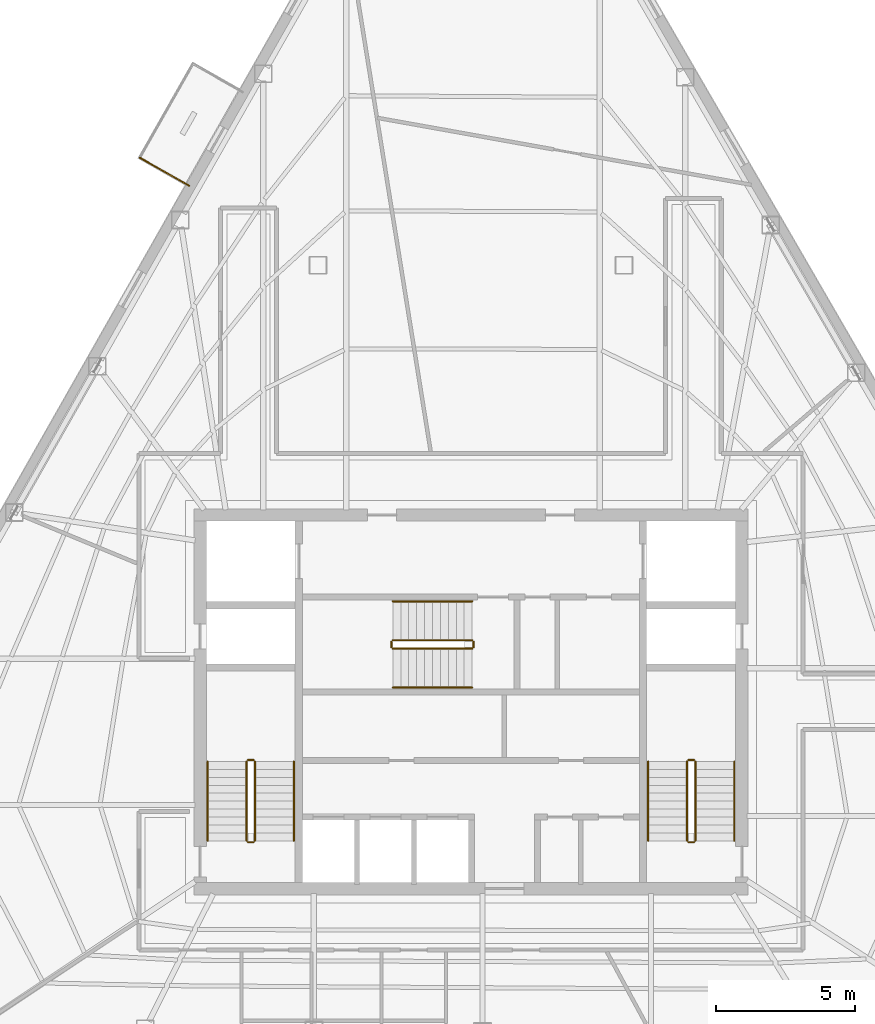
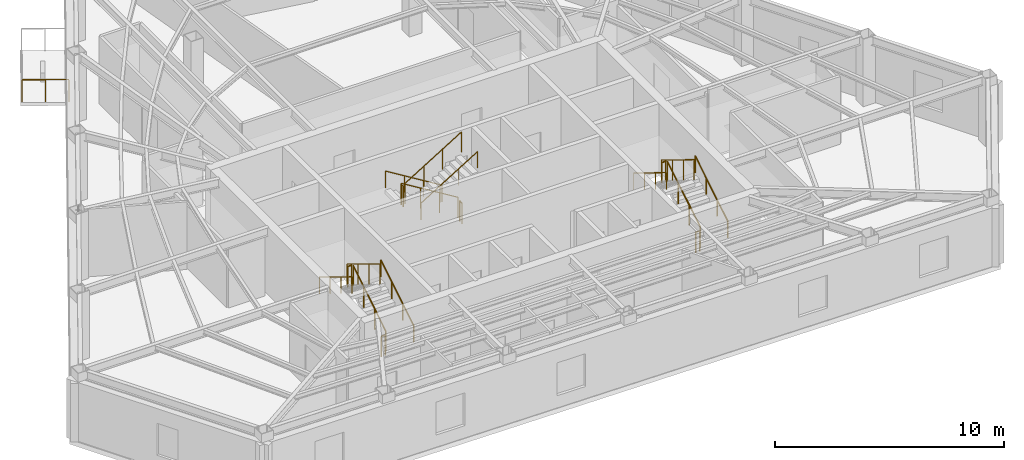
# One storey, part 8 of 9: 19 railings.
"""IFC4 building model written with IfcOpenShell, lengths in metres."""

import ifcopenshell
import ifcopenshell.guid

model = None  # the IFC model being written
_history = None  # IfcOwnerHistory: only IFC2X3 demands one
_inside = {}  # id of a spatial element -> (the spatial element, [elements in it])
_under = {}  # id of a project, library or spatial element -> (it, [spatial elements below it])
_declared = {}  # id of a project -> (the project, [libraries it declares])
_typed = {}  # id of a type object -> (the type object, [elements of that type])
_made_of = {}  # id of a material, layer set ... -> (it, [elements and type objects made of it])


def new_model(schema):
    """Start an empty IFC model of exactly this schema.

    Asked for "IFC4X3", IfcOpenShell would pick the latest addendum, in which some entities
    have other attributes; the version numbers below select the first issue.
    IFC2X3 requires an IfcOwnerHistory on every rooted entity: one is made here for all.
    """
    global model, _history
    if schema == "IFC4X3":
        model = ifcopenshell.file(schema_version=(4, 3, 0, 0))
    else:
        model = ifcopenshell.file(schema=schema)
    _inside.clear()
    _under.clear()
    _declared.clear()
    _typed.clear()
    _made_of.clear()
    _history = None
    if model.schema == "IFC2X3":
        org = make("IfcOrganization", Name="unknown")
        user = make(
            "IfcPersonAndOrganization",
            ThePerson=make("IfcPerson", FamilyName="unknown"),
            TheOrganization=org,
        )
        app = make(
            "IfcApplication",
            ApplicationDeveloper=org,
            Version="unknown",
            ApplicationFullName="unknown",
            ApplicationIdentifier="unknown",
        )
        _history = make(
            "IfcOwnerHistory",
            OwningUser=user,
            OwningApplication=app,
            ChangeAction="ADDED",
            CreationDate=0,
        )
    return model


def make(cls, **values):
    """One entity of the class cls with the attributes given. An attribute that is None is left unset."""
    return model.create_entity(
        cls, **{name: value for name, value in values.items() if value is not None}
    )


def rooted(cls, **values):
    """An entity with a GlobalId (a new one), such as an element, a storey or a relation."""
    return make(cls, GlobalId=ifcopenshell.guid.new(), OwnerHistory=_history, **values)


def si_unit(unit_type, name, prefix=None):
    """IfcSIUnit, for example si_unit("LENGTHUNIT", "METRE", prefix="MILLI")."""
    return make("IfcSIUnit", UnitType=unit_type, Prefix=prefix, Name=name)


def assignment(units):
    """IfcUnitAssignment: the units of a project."""
    return None if units is None else make("IfcUnitAssignment", Units=units)


def point(xyz):
    """IfcCartesianPoint."""
    return None if xyz is None else make("IfcCartesianPoint", Coordinates=xyz)


def direction(xyz):
    """IfcDirection."""
    return None if xyz is None else make("IfcDirection", DirectionRatios=xyz)


def frame(location, z_axis=None, x_axis=None):
    """IfcAxis2Placement3D, a coordinate frame: its origin and axes. An axis left out is left unset."""
    return make(
        "IfcAxis2Placement3D",
        Location=point(location),
        Axis=direction(z_axis),
        RefDirection=direction(x_axis),
    )


def frame_2d(location, x_axis=None):
    """IfcAxis2Placement2D, a coordinate frame in the plane: its origin and x axis."""
    return make(
        "IfcAxis2Placement2D", Location=point(location), RefDirection=direction(x_axis)
    )


def origin():
    """The frame at (0, 0, 0) with its axes left unset."""
    return frame((0.0, 0.0, 0.0))


def origin_2d():
    """The frame at (0, 0) in the plane with its x axis left unset."""
    return frame_2d((0.0, 0.0))


def place(relative_to, where):
    """IfcLocalPlacement: puts the frame where relative to a parent placement (None: the world)."""
    return make(
        "IfcLocalPlacement", PlacementRelTo=relative_to, RelativePlacement=where
    )


def context(
    kind, dimensions, precision=None, world=None, true_north=None, identifier=None
):
    """IfcGeometricRepresentationContext, for example the 3D "Model" context."""
    return make(
        "IfcGeometricRepresentationContext",
        ContextIdentifier=identifier,
        ContextType=kind,
        CoordinateSpaceDimension=dimensions,
        Precision=precision,
        WorldCoordinateSystem=world,
        TrueNorth=true_north,
    )


def subcontext(parent, identifier, kind, view, scale=None):
    """IfcGeometricRepresentationSubContext, for example "Body" below "Model"."""
    return make(
        "IfcGeometricRepresentationSubContext",
        ContextIdentifier=identifier,
        ContextType=kind,
        ParentContext=parent,
        TargetScale=scale,
        TargetView=view,
    )


def project(units=None, contexts=None):
    """IfcProject with its units and contexts."""
    return rooted(
        "IfcProject",
        Name="project",
        RepresentationContexts=contexts,
        UnitsInContext=assignment(units),
    )


def spatial(cls, under=None, at=None, **own):
    """A site, building, storey or space (cls), placed at a placement, below another one or the project."""
    s = rooted(cls, ObjectPlacement=at, **own)
    if under is not None:
        _under.setdefault(under.id(), (under, []))[1].append(s)
    return s


def profile(cls, at=None, kind="AREA", **sizes):
    """A parametric profile (cls). Its sizes go by their IFC names, for example OverallWidth=200.0."""
    return make(cls, ProfileType=kind, Position=at, **sizes)


def circle(**sizes):
    """IfcCircleProfileDef."""
    return profile("IfcCircleProfileDef", **sizes)


def extrude(swept, where, along, depth):
    """IfcExtrudedAreaSolid: the profile swept, set in the frame where, extruded along a direction by depth."""
    return make(
        "IfcExtrudedAreaSolid",
        SweptArea=swept,
        Position=where,
        ExtrudedDirection=direction(along),
        Depth=depth,
    )


def shape(context_of_items, identifier, shape_type, items):
    """IfcShapeRepresentation: the items that make up one representation, for example the "Body"."""
    return make(
        "IfcShapeRepresentation",
        ContextOfItems=context_of_items,
        RepresentationIdentifier=identifier,
        RepresentationType=shape_type,
        Items=items,
    )


def material(Name=None, Category=None):
    """IfcMaterial."""
    return make("IfcMaterial", Name=Name, Category=Category)


def made_of(thing, what):
    """Note that an element or type object is made of a material, layer set ...; save() writes the relation."""
    if what is not None:
        _made_of.setdefault(what.id(), (what, []))[1].append(thing)
    return thing


def type_object(cls, material=None, **own):
    """A type object (cls), such as IfcWallType, which elements share."""
    return made_of(rooted(cls, **own), material)


def element(
    cls,
    number,
    at=None,
    inside=None,
    cuts=None,
    type_object=None,
    material=None,
    context=None,
    identifier="Body",
    shape_type=None,
    held_by="IfcProductDefinitionShape",
    body=None,
    shapes=None,
    **own,
):
    """One element of the class cls, such as IfcWall. Its Tag is "e" and its number.

    at: its placement. inside: the storey or other place that contains it. cuts: it is an
    opening in that element (IfcRelVoidsElement). A single representation is given by context,
    identifier, shape_type and body (its items); several are given by shapes. held_by: the class
    of the entity that holds the representations. save() writes the other relations.
    """
    e = rooted(cls, Tag="e%d" % number, ObjectPlacement=at, **own)
    if body is not None:
        shapes = [shape(context, identifier, shape_type, body)]
    if shapes is not None:
        e.Representation = make(held_by, Representations=shapes)
    if inside is not None:
        _inside.setdefault(inside.id(), (inside, []))[1].append(e)
    if cuts is not None:
        rooted(
            "IfcRelVoidsElement", RelatingBuildingElement=cuts, RelatedOpeningElement=e
        )
    if type_object is not None:
        _typed.setdefault(type_object.id(), (type_object, []))[1].append(e)
    return made_of(e, material)


def aggregate(whole, parts):
    """IfcRelAggregates: a whole, such as a stair, and the parts it consists of."""
    return rooted("IfcRelAggregates", RelatingObject=whole, RelatedObjects=parts)


def save(model, path):
    """Write the relations noted so far, then the file.

    IfcRelAggregates (storeys below a building ...), IfcRelContainedInSpatialStructure (elements
    in a storey), IfcRelDefinesByType, IfcRelAssociatesMaterial and IfcRelDeclares: one each for
    every whole, place, type object, material and project.
    """
    for whole, parts in _under.values():
        aggregate(whole, parts)
    for where, things in _inside.values():
        rooted(
            "IfcRelContainedInSpatialStructure",
            RelatedElements=things,
            RelatingStructure=where,
        )
    for kind, things in _typed.values():
        rooted("IfcRelDefinesByType", RelatedObjects=things, RelatingType=kind)
    for what, things in _made_of.values():
        rooted("IfcRelAssociatesMaterial", RelatedObjects=things, RelatingMaterial=what)
    for by, libraries in _declared.values():
        rooted("IfcRelDeclares", RelatingContext=by, RelatedDefinitions=libraries)
    model.write(path)


model = new_model("IFC4")

# Units and contexts
model_context = context("Model", 3, precision=1e-05, world=origin(), true_north=direction((0.0, 1.0)))
body_context = subcontext(model_context, "Body", "Model", "MODEL_VIEW")
ifc_project = project(units=[si_unit("LENGTHUNIT", "METRE"), si_unit("AREAUNIT", "SQUARE_METRE"), si_unit("VOLUMEUNIT", "CUBIC_METRE"), si_unit("PLANEANGLEUNIT", "RADIAN"), si_unit("MASSUNIT", "GRAM", prefix="KILO")], contexts=[model_context])

# Site, building, storey
site_placement = place(None, origin())
site = spatial("IfcSite", under=ifc_project, at=site_placement, CompositionType="ELEMENT")
building_placement = place(site_placement, origin())
building = spatial("IfcBuilding", under=site, at=building_placement, Name="Kavelnor Concourse Tower", CompositionType="ELEMENT")
storey_placement = place(building_placement, frame((0.0, 0.0, 176.550048828125)))
storey = spatial("IfcBuildingStorey", under=building, at=storey_placement, Name="L44", CompositionType="ELEMENT", Elevation=176.550048828125)

# Railings
ifc_material_1 = material(Name="Steel Grade 350", Category="steel")
railing_type_1 = type_object("IfcRailingType", Name="RLG-GUARD-1100", PredefinedType="GUARDRAIL", material=ifc_material_1)
railing_1_placement = place(storey_placement, frame((30.22998046875, 11.10009765625, 0.175048828125)))
element("IfcRailing", 1, at=railing_1_placement, inside=storey, type_object=railing_type_1, Name="L44 ST1 stair guard 1", PredefinedType="GUARDRAIL", context=body_context, shape_type="SweptSolid", body=[
    extrude(circle(Radius=0.02392578125, at=origin_2d()), frame((0.0, 0.0, 1.076171875), z_axis=(0.0, 0.852159232446, 0.523282564737), x_axis=(-1.0, 0.0, 0.0)), (0.0, 0.0, 1.0), 3.34423828125),
    extrude(circle(Radius=0.02099609375, at=origin_2d()), origin(), (0.0, 0.0, 1.0), 1.052001953125),
    extrude(circle(Radius=0.02099609375, at=origin_2d()), frame((0.0, 0.949951171875, 0.583251953125)), (0.0, 0.0, 1.0), 1.052001953125),
    extrude(circle(Radius=0.02099609375, at=origin_2d()), frame((0.0, 1.89990234375, 1.166748046875)), (0.0, 0.0, 1.0), 1.052001953125),
    extrude(circle(Radius=0.02099609375, at=origin_2d()), frame((0.0, 2.849853515625, 1.75)), (0.0, 0.0, 1.0), 1.052001953125),
])
railing_2_placement = place(storey_placement, frame((30.179931640625, 14.0, 1.925048828125)))
element("IfcRailing", 2, at=railing_2_placement, inside=storey, type_object=railing_type_1, Name="L44 ST1 stair guard 2", PredefinedType="GUARDRAIL", context=body_context, shape_type="SweptSolid", body=[
    extrude(circle(Radius=0.02392578125, at=origin_2d()), frame((0.0, 0.0, 1.076171875), z_axis=(-1.0, 0.0, 0.0), x_axis=(0.0, -1.0, 0.0)), (0.0, 0.0, 1.0), 0.199951171875),
    extrude(circle(Radius=0.02099609375, at=origin_2d()), origin(), (0.0, 0.0, 1.0), 1.052001953125),
    extrude(circle(Radius=0.02099609375, at=origin_2d()), frame((-0.199951171875, 0.0, 0.0)), (0.0, 0.0, 1.0), 1.052001953125),
])
railing_3_placement = place(storey_placement, frame((29.929931640625, 13.949951171875, 2.099853515625)))
element("IfcRailing", 3, at=railing_3_placement, inside=storey, type_object=railing_type_1, Name="L44 ST1 stair guard 3", PredefinedType="GUARDRAIL", context=body_context, shape_type="SweptSolid", body=[
    extrude(circle(Radius=0.02392578125, at=origin_2d()), frame((0.0, 0.0, 1.076171875), z_axis=(0.0, -0.852159232446, 0.523282564737), x_axis=(1.0, 0.0, 0.0)), (0.0, 0.0, 1.0), 3.34423828125),
    extrude(circle(Radius=0.02099609375, at=origin_2d()), origin(), (0.0, 0.0, 1.0), 1.052001953125),
    extrude(circle(Radius=0.02099609375, at=origin_2d()), frame((0.0, -0.949951171875, 0.583251953125)), (0.0, 0.0, 1.0), 1.052001953125),
    extrude(circle(Radius=0.02099609375, at=origin_2d()), frame((0.0, -1.89990234375, 1.166748046875)), (0.0, 0.0, 1.0), 1.052001953125),
    extrude(circle(Radius=0.02099609375, at=origin_2d()), frame((0.0, -2.849853515625, 1.75)), (0.0, 0.0, 1.0), 1.052001953125),
])
railing_4_placement = place(storey_placement, frame((30.179931640625, 11.050048828125, 0.0)))
element("IfcRailing", 4, at=railing_4_placement, inside=storey, type_object=railing_type_1, Name="L44 ST1 stair guard 4", PredefinedType="GUARDRAIL", context=body_context, shape_type="SweptSolid", body=[
    extrude(circle(Radius=0.02392578125, at=origin_2d()), frame((0.0, 0.0, 1.076171875), z_axis=(-1.0, 0.0, 0.0), x_axis=(0.0, -1.0, 0.0)), (0.0, 0.0, 1.0), 0.199951171875),
    extrude(circle(Radius=0.02099609375, at=origin_2d()), origin(), (0.0, 0.0, 1.0), 1.052001953125),
    extrude(circle(Radius=0.02099609375, at=origin_2d()), frame((-0.199951171875, 0.0, 0.0)), (0.0, 0.0, 1.0), 1.052001953125),
])
railing_5_placement = place(storey_placement, frame((46.070068359375, 11.10009765625, 0.175048828125)))
element("IfcRailing", 5, at=railing_5_placement, inside=storey, type_object=railing_type_1, Name="L44 ST2 stair guard 1", PredefinedType="GUARDRAIL", context=body_context, shape_type="SweptSolid", body=[
    extrude(circle(Radius=0.02392578125, at=origin_2d()), frame((0.0, 0.0, 1.076171875), z_axis=(0.0, 0.852159232446, 0.523282564737), x_axis=(-1.0, 0.0, 0.0)), (0.0, 0.0, 1.0), 3.34423828125),
    extrude(circle(Radius=0.02099609375, at=origin_2d()), origin(), (0.0, 0.0, 1.0), 1.052001953125),
    extrude(circle(Radius=0.02099609375, at=origin_2d()), frame((0.0, 0.949951171875, 0.583251953125)), (0.0, 0.0, 1.0), 1.052001953125),
    extrude(circle(Radius=0.02099609375, at=origin_2d()), frame((0.0, 1.89990234375, 1.166748046875)), (0.0, 0.0, 1.0), 1.052001953125),
    extrude(circle(Radius=0.02099609375, at=origin_2d()), frame((0.0, 2.849853515625, 1.75)), (0.0, 0.0, 1.0), 1.052001953125),
])
railing_6_placement = place(storey_placement, frame((46.02001953125, 14.0, 1.925048828125)))
element("IfcRailing", 6, at=railing_6_placement, inside=storey, type_object=railing_type_1, Name="L44 ST2 stair guard 2", PredefinedType="GUARDRAIL", context=body_context, shape_type="SweptSolid", body=[
    extrude(circle(Radius=0.02392578125, at=origin_2d()), frame((0.0, 0.0, 1.076171875), z_axis=(-1.0, 0.0, 0.0), x_axis=(0.0, -1.0, 0.0)), (0.0, 0.0, 1.0), 0.199951171875),
    extrude(circle(Radius=0.02099609375, at=origin_2d()), origin(), (0.0, 0.0, 1.0), 1.052001953125),
    extrude(circle(Radius=0.02099609375, at=origin_2d()), frame((-0.199951171875, 0.0, 0.0)), (0.0, 0.0, 1.0), 1.052001953125),
])
railing_7_placement = place(storey_placement, frame((45.77001953125, 13.949951171875, 2.099853515625)))
element("IfcRailing", 7, at=railing_7_placement, inside=storey, type_object=railing_type_1, Name="L44 ST2 stair guard 3", PredefinedType="GUARDRAIL", context=body_context, shape_type="SweptSolid", body=[
    extrude(circle(Radius=0.02392578125, at=origin_2d()), frame((0.0, 0.0, 1.076171875), z_axis=(0.0, -0.852159232446, 0.523282564737), x_axis=(1.0, 0.0, 0.0)), (0.0, 0.0, 1.0), 3.34423828125),
    extrude(circle(Radius=0.02099609375, at=origin_2d()), origin(), (0.0, 0.0, 1.0), 1.052001953125),
    extrude(circle(Radius=0.02099609375, at=origin_2d()), frame((0.0, -0.949951171875, 0.583251953125)), (0.0, 0.0, 1.0), 1.052001953125),
    extrude(circle(Radius=0.02099609375, at=origin_2d()), frame((0.0, -1.89990234375, 1.166748046875)), (0.0, 0.0, 1.0), 1.052001953125),
    extrude(circle(Radius=0.02099609375, at=origin_2d()), frame((0.0, -2.849853515625, 1.75)), (0.0, 0.0, 1.0), 1.052001953125),
])
railing_8_placement = place(storey_placement, frame((46.02001953125, 11.050048828125, 0.0)))
element("IfcRailing", 8, at=railing_8_placement, inside=storey, type_object=railing_type_1, Name="L44 ST2 stair guard 4", PredefinedType="GUARDRAIL", context=body_context, shape_type="SweptSolid", body=[
    extrude(circle(Radius=0.02392578125, at=origin_2d()), frame((0.0, 0.0, 1.076171875), z_axis=(-1.0, 0.0, 0.0), x_axis=(0.0, -1.0, 0.0)), (0.0, 0.0, 1.0), 0.199951171875),
    extrude(circle(Radius=0.02099609375, at=origin_2d()), origin(), (0.0, 0.0, 1.0), 1.052001953125),
    extrude(circle(Radius=0.02099609375, at=origin_2d()), frame((-0.199951171875, 0.0, 0.0)), (0.0, 0.0, 1.0), 1.052001953125),
])
railing_9_placement = place(storey_placement, frame((38.0400390625, 18.31005859375, 0.175048828125)))
element("IfcRailing", 9, at=railing_9_placement, inside=storey, type_object=railing_type_1, Name="L44 ST3 stair guard 1", PredefinedType="GUARDRAIL", context=body_context, shape_type="SweptSolid", body=[
    extrude(circle(Radius=0.02392578125, at=origin_2d()), frame((0.0, 0.0, 1.076171875), z_axis=(-0.852179220489, 0.0, 0.52325001306), x_axis=(0.0, -1.0, 0.0)), (0.0, 0.0, 1.0), 3.344482421875),
    extrude(circle(Radius=0.02099609375, at=origin_2d()), origin(), (0.0, 0.0, 1.0), 1.052001953125),
    extrude(circle(Radius=0.02099609375, at=origin_2d()), frame((-0.949951171875, 0.0, 0.583251953125)), (0.0, 0.0, 1.0), 1.052001953125),
    extrude(circle(Radius=0.02099609375, at=origin_2d()), frame((-1.900146484375, 0.0, 1.166748046875)), (0.0, 0.0, 1.0), 1.052001953125),
    extrude(circle(Radius=0.02099609375, at=origin_2d()), frame((-2.85009765625, 0.0, 1.75)), (0.0, 0.0, 1.0), 1.052001953125),
])
railing_10_placement = place(storey_placement, frame((35.139892578125, 18.260009765625, 1.925048828125)))
element("IfcRailing", 10, at=railing_10_placement, inside=storey, type_object=railing_type_1, Name="L44 ST3 stair guard 2", PredefinedType="GUARDRAIL", context=body_context, shape_type="SweptSolid", body=[
    extrude(circle(Radius=0.02392578125, at=origin_2d()), frame((0.0, 0.0, 1.076171875), z_axis=(0.0, -1.0, 0.0), x_axis=(1.0, 0.0, 0.0)), (0.0, 0.0, 1.0), 0.199951171875),
    extrude(circle(Radius=0.02099609375, at=origin_2d()), origin(), (0.0, 0.0, 1.0), 1.052001953125),
    extrude(circle(Radius=0.02099609375, at=origin_2d()), frame((0.0, -0.199951171875, 0.0)), (0.0, 0.0, 1.0), 1.052001953125),
])
railing_11_placement = place(storey_placement, frame((35.18994140625, 18.010009765625, 2.099853515625)))
element("IfcRailing", 11, at=railing_11_placement, inside=storey, type_object=railing_type_1, Name="L44 ST3 stair guard 3", PredefinedType="GUARDRAIL", context=body_context, shape_type="SweptSolid", body=[
    extrude(circle(Radius=0.02392578125, at=origin_2d()), frame((0.0, 0.0, 1.076171875), z_axis=(0.852179220489, 0.0, 0.52325001306), x_axis=(0.0, 1.0, 0.0)), (0.0, 0.0, 1.0), 3.344482421875),
    extrude(circle(Radius=0.02099609375, at=origin_2d()), origin(), (0.0, 0.0, 1.0), 1.052001953125),
    extrude(circle(Radius=0.02099609375, at=origin_2d()), frame((0.949951171875, 0.0, 0.583251953125)), (0.0, 0.0, 1.0), 1.052001953125),
    extrude(circle(Radius=0.02099609375, at=origin_2d()), frame((1.900146484375, 0.0, 1.166748046875)), (0.0, 0.0, 1.0), 1.052001953125),
    extrude(circle(Radius=0.02099609375, at=origin_2d()), frame((2.85009765625, 0.0, 1.75)), (0.0, 0.0, 1.0), 1.052001953125),
])
railing_12_placement = place(storey_placement, frame((38.090087890625, 18.260009765625, 0.0)))
element("IfcRailing", 12, at=railing_12_placement, inside=storey, type_object=railing_type_1, Name="L44 ST3 stair guard 4", PredefinedType="GUARDRAIL", context=body_context, shape_type="SweptSolid", body=[
    extrude(circle(Radius=0.02392578125, at=origin_2d()), frame((0.0, 0.0, 1.076171875), z_axis=(0.0, -1.0, 0.0), x_axis=(1.0, 0.0, 0.0)), (0.0, 0.0, 1.0), 0.199951171875),
    extrude(circle(Radius=0.02099609375, at=origin_2d()), origin(), (0.0, 0.0, 1.0), 1.052001953125),
    extrude(circle(Radius=0.02099609375, at=origin_2d()), frame((0.0, -0.199951171875, 0.0)), (0.0, 0.0, 1.0), 1.052001953125),
])
railing_type_2 = type_object("IfcRailingType", Name="RLG-HANDRAIL-900", PredefinedType="HANDRAIL", material=ifc_material_1)
railing_13_placement = place(storey_placement, frame((31.6298828125, 11.10009765625, 0.175048828125)))
element("IfcRailing", 13, at=railing_13_placement, inside=storey, type_object=railing_type_2, Name="L44 ST1 stair handrail 1", PredefinedType="HANDRAIL", context=body_context, shape_type="SweptSolid", body=[
    extrude(circle(Radius=0.02392578125, at=origin_2d()), frame((0.0, 0.0, 0.8759765625), z_axis=(0.0, 0.852159232446, 0.523282564737), x_axis=(-1.0, 0.0, 0.0)), (0.0, 0.0, 1.0), 3.34423828125),
    extrude(circle(Radius=0.02099609375, at=origin_2d()), origin(), (0.0, 0.0, 1.0), 0.851806640625),
    extrude(circle(Radius=0.02099609375, at=origin_2d()), frame((0.0, 0.949951171875, 0.583251953125)), (0.0, 0.0, 1.0), 0.851806640625),
    extrude(circle(Radius=0.02099609375, at=origin_2d()), frame((0.0, 1.89990234375, 1.166748046875)), (0.0, 0.0, 1.0), 0.851806640625),
    extrude(circle(Radius=0.02099609375, at=origin_2d()), frame((0.0, 2.849853515625, 1.75)), (0.0, 0.0, 1.0), 0.851806640625),
])
railing_14_placement = place(storey_placement, frame((28.530029296875, 13.949951171875, 2.099853515625)))
element("IfcRailing", 14, at=railing_14_placement, inside=storey, type_object=railing_type_2, Name="L44 ST1 stair handrail 2", PredefinedType="HANDRAIL", context=body_context, shape_type="SweptSolid", body=[
    extrude(circle(Radius=0.02392578125, at=origin_2d()), frame((0.0, 0.0, 0.8759765625), z_axis=(0.0, -0.852159232446, 0.523282564737), x_axis=(1.0, 0.0, 0.0)), (0.0, 0.0, 1.0), 3.34423828125),
    extrude(circle(Radius=0.02099609375, at=origin_2d()), origin(), (0.0, 0.0, 1.0), 0.851806640625),
    extrude(circle(Radius=0.02099609375, at=origin_2d()), frame((0.0, -0.949951171875, 0.583251953125)), (0.0, 0.0, 1.0), 0.851806640625),
    extrude(circle(Radius=0.02099609375, at=origin_2d()), frame((0.0, -1.89990234375, 1.166748046875)), (0.0, 0.0, 1.0), 0.851806640625),
    extrude(circle(Radius=0.02099609375, at=origin_2d()), frame((0.0, -2.849853515625, 1.75)), (0.0, 0.0, 1.0), 0.851806640625),
])
railing_15_placement = place(storey_placement, frame((47.469970703125, 11.10009765625, 0.175048828125)))
element("IfcRailing", 15, at=railing_15_placement, inside=storey, type_object=railing_type_2, Name="L44 ST2 stair handrail 1", PredefinedType="HANDRAIL", context=body_context, shape_type="SweptSolid", body=[
    extrude(circle(Radius=0.02392578125, at=origin_2d()), frame((0.0, 0.0, 0.8759765625), z_axis=(0.0, 0.852159232446, 0.523282564737), x_axis=(-1.0, 0.0, 0.0)), (0.0, 0.0, 1.0), 3.34423828125),
    extrude(circle(Radius=0.02099609375, at=origin_2d()), origin(), (0.0, 0.0, 1.0), 0.851806640625),
    extrude(circle(Radius=0.02099609375, at=origin_2d()), frame((0.0, 0.949951171875, 0.583251953125)), (0.0, 0.0, 1.0), 0.851806640625),
    extrude(circle(Radius=0.02099609375, at=origin_2d()), frame((0.0, 1.89990234375, 1.166748046875)), (0.0, 0.0, 1.0), 0.851806640625),
    extrude(circle(Radius=0.02099609375, at=origin_2d()), frame((0.0, 2.849853515625, 1.75)), (0.0, 0.0, 1.0), 0.851806640625),
])
railing_16_placement = place(storey_placement, frame((44.3701171875, 13.949951171875, 2.099853515625)))
element("IfcRailing", 16, at=railing_16_placement, inside=storey, type_object=railing_type_2, Name="L44 ST2 stair handrail 2", PredefinedType="HANDRAIL", context=body_context, shape_type="SweptSolid", body=[
    extrude(circle(Radius=0.02392578125, at=origin_2d()), frame((0.0, 0.0, 0.8759765625), z_axis=(0.0, -0.852159232446, 0.523282564737), x_axis=(1.0, 0.0, 0.0)), (0.0, 0.0, 1.0), 3.34423828125),
    extrude(circle(Radius=0.02099609375, at=origin_2d()), origin(), (0.0, 0.0, 1.0), 0.851806640625),
    extrude(circle(Radius=0.02099609375, at=origin_2d()), frame((0.0, -0.949951171875, 0.583251953125)), (0.0, 0.0, 1.0), 0.851806640625),
    extrude(circle(Radius=0.02099609375, at=origin_2d()), frame((0.0, -1.89990234375, 1.166748046875)), (0.0, 0.0, 1.0), 0.851806640625),
    extrude(circle(Radius=0.02099609375, at=origin_2d()), frame((0.0, -2.849853515625, 1.75)), (0.0, 0.0, 1.0), 0.851806640625),
])
railing_17_placement = place(storey_placement, frame((38.0400390625, 19.7099609375, 0.175048828125)))
element("IfcRailing", 17, at=railing_17_placement, inside=storey, type_object=railing_type_2, Name="L44 ST3 stair handrail 1", PredefinedType="HANDRAIL", context=body_context, shape_type="SweptSolid", body=[
    extrude(circle(Radius=0.02392578125, at=origin_2d()), frame((0.0, 0.0, 0.8759765625), z_axis=(-0.852179220489, 0.0, 0.52325001306), x_axis=(0.0, -1.0, 0.0)), (0.0, 0.0, 1.0), 3.344482421875),
    extrude(circle(Radius=0.02099609375, at=origin_2d()), origin(), (0.0, 0.0, 1.0), 0.851806640625),
    extrude(circle(Radius=0.02099609375, at=origin_2d()), frame((-0.949951171875, 0.0, 0.583251953125)), (0.0, 0.0, 1.0), 0.851806640625),
    extrude(circle(Radius=0.02099609375, at=origin_2d()), frame((-1.900146484375, 0.0, 1.166748046875)), (0.0, 0.0, 1.0), 0.851806640625),
    extrude(circle(Radius=0.02099609375, at=origin_2d()), frame((-2.85009765625, 0.0, 1.75)), (0.0, 0.0, 1.0), 0.851806640625),
])
railing_18_placement = place(storey_placement, frame((35.18994140625, 16.610107421875, 2.099853515625)))
element("IfcRailing", 18, at=railing_18_placement, inside=storey, type_object=railing_type_2, Name="L44 ST3 stair handrail 2", PredefinedType="HANDRAIL", context=body_context, shape_type="SweptSolid", body=[
    extrude(circle(Radius=0.02392578125, at=origin_2d()), frame((0.0, 0.0, 0.8759765625), z_axis=(0.852179220489, 0.0, 0.52325001306), x_axis=(0.0, 1.0, 0.0)), (0.0, 0.0, 1.0), 3.344482421875),
    extrude(circle(Radius=0.02099609375, at=origin_2d()), origin(), (0.0, 0.0, 1.0), 0.851806640625),
    extrude(circle(Radius=0.02099609375, at=origin_2d()), frame((0.949951171875, 0.0, 0.583251953125)), (0.0, 0.0, 1.0), 0.851806640625),
    extrude(circle(Radius=0.02099609375, at=origin_2d()), frame((1.900146484375, 0.0, 1.166748046875)), (0.0, 0.0, 1.0), 0.851806640625),
    extrude(circle(Radius=0.02099609375, at=origin_2d()), frame((2.85009765625, 0.0, 1.75)), (0.0, 0.0, 1.0), 0.851806640625),
])
ifc_material_2 = material(Name="Architectural bronze-anodised aluminium", Category="aluminium")
railing_type_3 = type_object("IfcRailingType", Name="RLG-TERRACE-1200", PredefinedType="BALUSTRADE", material=ifc_material_2)
railing_19_placement = place(storey_placement, frame((26.088134765625, 35.664306640625, 0.0)))
element("IfcRailing", 19, at=railing_19_placement, inside=storey, type_object=railing_type_3, Name="L44 Tree Balcony 2 Guardrail R", PredefinedType="BALUSTRADE", context=body_context, shape_type="SweptSolid", body=[
    extrude(circle(Radius=0.02392578125, at=origin_2d()), frame((0.0, 0.0, 1.17578125), z_axis=(0.869602999793, -0.493751579998, 0.0), x_axis=(0.493751579998, 0.869602999793, 0.0)), (0.0, 0.0, 1.0), 2.050048828125),
    extrude(circle(Radius=0.02099609375, at=origin_2d()), origin(), (0.0, 0.0, 1.0), 1.15185546875),
    extrude(circle(Radius=0.02099609375, at=origin_2d()), frame((0.891357421875, -0.506103515625, 0.0)), (0.0, 0.0, 1.0), 1.15185546875),
    extrude(circle(Radius=0.02099609375, at=origin_2d()), frame((1.78271484375, -1.01220703125, 0.0)), (0.0, 0.0, 1.0), 1.15185546875),
])

save(model, "model.ifc")
